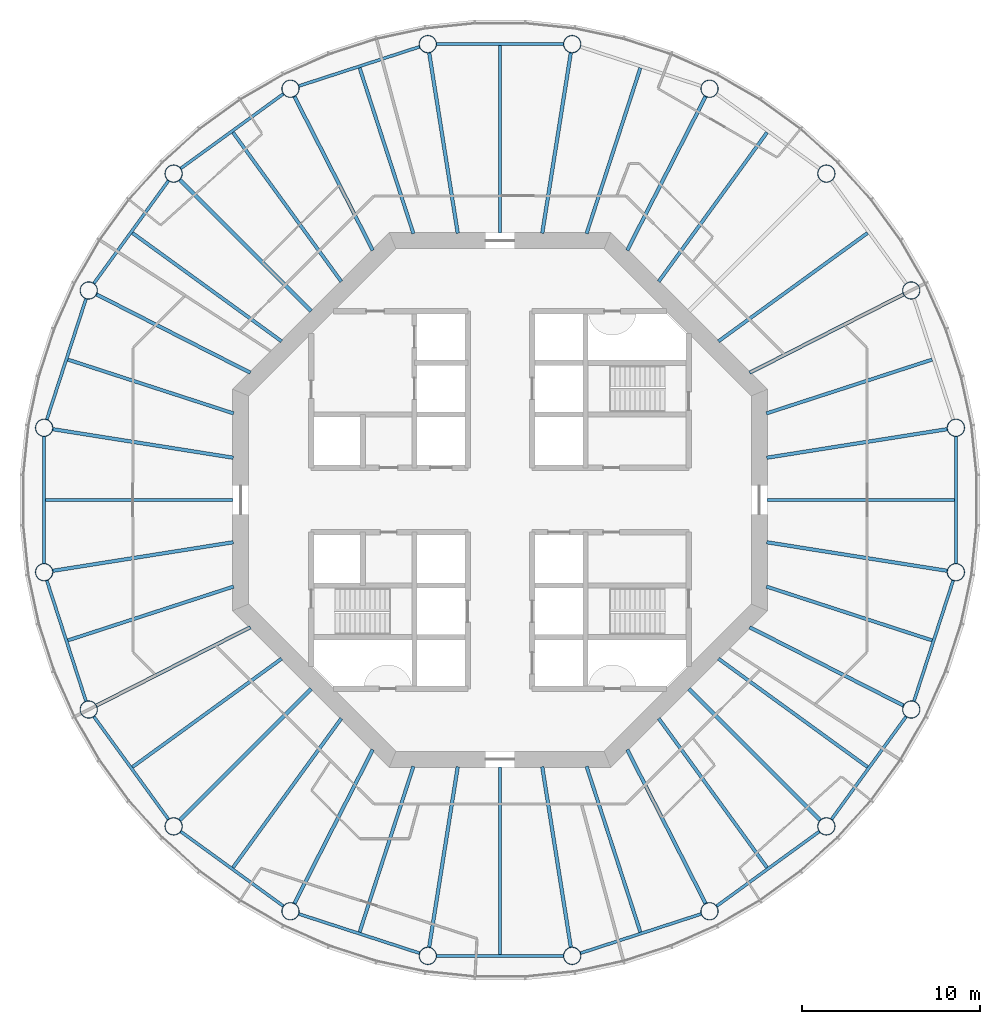
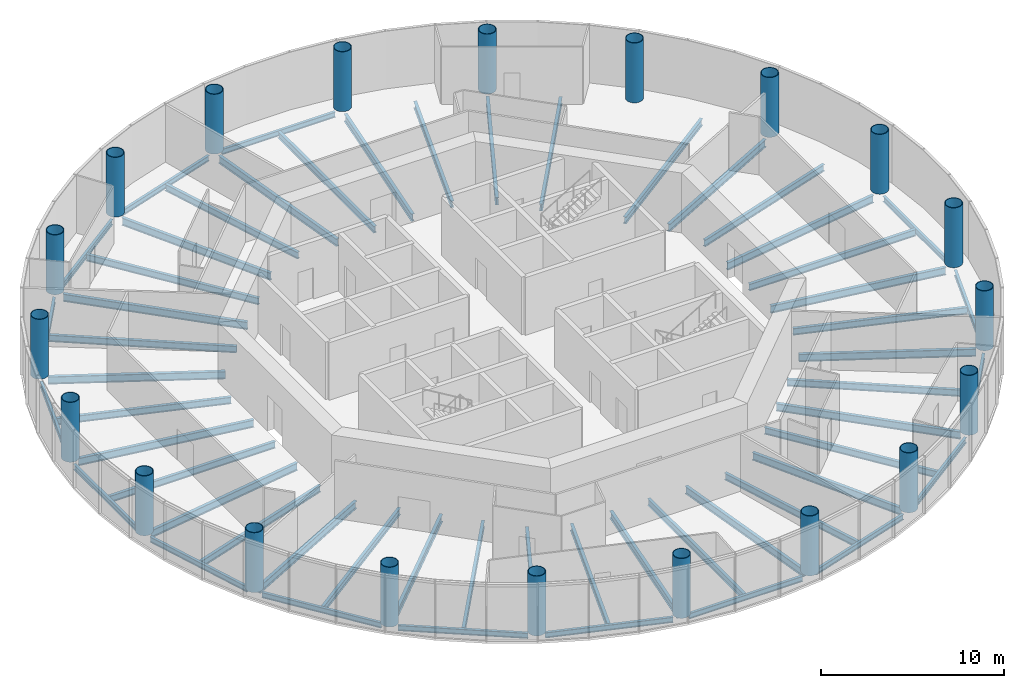
# One storey, part 1 of 12: 55 beams, 20 columns.
"""IFC4 building model written with IfcOpenShell, lengths in metres."""

from ifc_helpers import new_model, si_unit, direction, frame, origin, origin_2d, place, context, subcontext, project, spatial, circle, hollow_circle, i_section, extrude, material, material_profile, profile_set, type_object, element, save


model = new_model("IFC4")

# Units and contexts
model_context = context("Model", 3, precision=1e-05, world=origin(), true_north=direction((0.0, 1.0)))
body_context = subcontext(model_context, "Body", "Model", "MODEL_VIEW")
ifc_project = project(units=[si_unit("LENGTHUNIT", "METRE"), si_unit("AREAUNIT", "SQUARE_METRE"), si_unit("VOLUMEUNIT", "CUBIC_METRE"), si_unit("PLANEANGLEUNIT", "RADIAN"), si_unit("MASSUNIT", "GRAM", prefix="KILO")], contexts=[model_context])

# Site, building, storey
site_placement = place(None, origin())
site = spatial("IfcSite", under=ifc_project, at=site_placement, CompositionType="ELEMENT")
building_placement = place(site_placement, origin())
building = spatial("IfcBuilding", under=site, at=building_placement, Name="Entoto Ring Tower", CompositionType="ELEMENT")
storey_placement = place(building_placement, frame((0.0, 0.0, 222.0)))
storey = spatial("IfcBuildingStorey", under=building, at=storey_placement, Name="L51", CompositionType="ELEMENT", Elevation=222.0)

# Columns
ifc_material_1 = material(Name="Steel S355", Category="steel")
ifc_material_profile_1 = material_profile(ifc_material_1, hollow_circle(Radius=0.5, WallThickness=0.0400390625, at=origin_2d()), Name="CHS 1000 x 40")
ifc_material_2 = material(Name="Concrete C60/75", Category="concrete")
ifc_material_profile_2 = material_profile(ifc_material_2, circle(Radius=0.4599609375, at=origin_2d()), Name="Concrete C60/75 infill")
ifc_profile_set_1 = profile_set([ifc_material_profile_1, ifc_material_profile_2], Name="Steel S355")
column_type = type_object("IfcColumnType", Name="Ring column 1000 x 40 concrete-filled tube", PredefinedType="COLUMN", material=ifc_profile_set_1)
for number, where, z_axis, x_axis, name in (
    (1, (115.5810546875, 84.0517578125, 0.0), (0.0, 0.0, 1.0), (1.0, 0.0, 0.0), "RC4 R01"),
    (2, (113.0771484375, 91.75830078125, 0.0), (0.0, 0.0, 1.0), (1.0, 0.0, 0.0), "RC4 R02"),
    (3, (108.31396484375, 98.31396484375, 0.0), (0.0, 0.0, 1.0), (1.0, 0.0, 0.0), "RC4 R03"),
    (4, (101.75830078125, 103.0771484375, 0.0), (0.0, 0.0, 1.0), (1.0, 0.0, 0.0), "RC4 R04"),
    (5, (94.0517578125, 105.5810546875, 0.0), (0.0, 0.0, 1.0), (1.0, 0.0, 0.0), "RC4 R05"),
    (6, (85.9482421875, 105.5810546875, 0.0), (0.0, 0.0, 1.0), (1.0, 0.0, 0.0), "RC4 R06"),
    (7, (78.24169921875, 103.0771484375, 0.0), (0.0, 0.0, 1.0), (1.0, 0.0, 0.0), "RC4 R07"),
    (8, (71.68603515625, 98.31396484375, 0.0), (0.0, 0.0, 1.0), (1.0, 0.0, 0.0), "RC4 R08"),
    (9, (66.9228515625, 91.75830078125, 0.0), (0.0, 0.0, 1.0), (1.0, 0.0, 0.0), "RC4 R09"),
    (10, (64.4189453125, 84.0517578125, 0.0), (0.0, 0.0, 1.0), (1.0, 0.0, 0.0), "RC4 R10"),
    (11, (64.4189453125, 75.9482421875, 0.0), (0.0, 0.0, 1.0), (1.0, 0.0, 0.0), "RC4 R11"),
    (12, (66.9228515625, 68.24169921875, 0.0), (0.0, 0.0, 1.0), (1.0, 0.0, 0.0), "RC4 R12"),
    (13, (71.68603515625, 61.68603515625, 0.0), (0.0, 0.0, 1.0), (1.0, 0.0, 0.0), "RC4 R13"),
    (14, (78.24169921875, 56.9228515625, 0.0), (0.0, 0.0, 1.0), (1.0, 0.0, 0.0), "RC4 R14"),
    (15, (85.9482421875, 54.4189453125, 0.0), (0.0, 0.0, 1.0), (1.0, 0.0, 0.0), "RC4 R15"),
    (16, (94.0517578125, 54.4189453125, 0.0), (0.0, 0.0, 1.0), (1.0, 0.0, 0.0), "RC4 R16"),
    (17, (101.75830078125, 56.9228515625, 0.0), (0.0, 0.0, 1.0), (1.0, 0.0, 0.0), "RC4 R17"),
    (18, (108.31396484375, 61.68603515625, 0.0), (0.0, 0.0, 1.0), (1.0, 0.0, 0.0), "RC4 R18"),
    (19, (113.0771484375, 68.24169921875, 0.0), (0.0, 0.0, 1.0), (1.0, 0.0, 0.0), "RC4 R19"),
    (20, (115.5810546875, 75.9482421875, 0.0), (0.0, 0.0, 1.0), (1.0, 0.0, 0.0), "RC4 R20"),
):
    element("IfcColumn", number, at=place(storey_placement, frame(where, z_axis=z_axis, x_axis=x_axis)), inside=storey, type_object=column_type, Name=name, PredefinedType="COLUMN", context=body_context, shape_type="SweptSolid", body=[
        extrude(hollow_circle(Radius=0.5, WallThickness=0.0400390625, at=origin_2d()), origin(), (0.0, 0.0, 1.0), 4.0),
    ])

# Beams
ifc_material_3 = material(Name="Steel S355", Category="steel")
ifc_material_profile_3 = material_profile(ifc_material_3, i_section(OverallWidth=0.169921875, OverallDepth=0.360107421875, WebThickness=0.008056640625, FlangeThickness=0.0126953125, FilletRadius=0.01806640625, at=origin_2d()), Name="IPE 360")
ifc_profile_set_2 = profile_set([ifc_material_profile_3], Name="Steel S355")
beam_type_1 = type_object("IfcBeamType", Name="Edge beam IPE 360", PredefinedType="SPANDREL", material=ifc_profile_set_2)
beam_1_placement = place(storey_placement, frame((93.5791015625, 105.5810546875, -0.330078125), z_axis=(-1.0, 0.0, 0.0), x_axis=(0.0, -1.0, 0.0)))
element("IfcBeam", 21, at=beam_1_placement, inside=storey, type_object=beam_type_1, Name="Edge beam L51 05", PredefinedType="SPANDREL", context=body_context, shape_type="SweptSolid", body=[
    extrude(i_section(OverallWidth=0.169921875, OverallDepth=0.360107421875, WebThickness=0.008056640625, FlangeThickness=0.0126953125, FilletRadius=0.01806640625, at=origin_2d()), origin(), (0.0, 0.0, 1.0), 7.158203125),
])
beam_2_placement = place(storey_placement, frame((85.498779296875, 105.43505859375, -0.330078125), z_axis=(-0.951057125849, -0.309015118354, 0.0), x_axis=(0.309015118354, -0.951057125849, 0.0)))
element("IfcBeam", 22, at=beam_2_placement, inside=storey, type_object=beam_type_1, Name="Edge beam L51 06", PredefinedType="SPANDREL", context=body_context, shape_type="SweptSolid", body=[
    extrude(i_section(OverallWidth=0.169921875, OverallDepth=0.360107421875, WebThickness=0.008056640625, FlangeThickness=0.0126953125, FilletRadius=0.01806640625, at=origin_2d()), origin(), (0.0, 0.0, 1.0), 7.157958984375),
])
for number, where, z_axis, x_axis, name in (
    (23, (77.859375, 102.79931640625, -0.330078125), (-0.809010324619, -0.587794432314, 0.0), (0.587794432314, -0.809010324619, 0.0), "Edge beam L51 07"),
    (24, (71.408203125, 97.931640625, -0.330078125), (-0.587794432314, -0.809010324619, 0.0), (0.809010324619, -0.587794432314, 0.0), "Edge beam L51 08"),
):
    element("IfcBeam", number, at=place(storey_placement, frame(where, z_axis=z_axis, x_axis=x_axis)), inside=storey, type_object=beam_type_1, Name=name, PredefinedType="SPANDREL", context=body_context, shape_type="SweptSolid", body=[
        extrude(i_section(OverallWidth=0.169921875, OverallDepth=0.360107421875, WebThickness=0.008056640625, FlangeThickness=0.0126953125, FilletRadius=0.01806640625, at=origin_2d()), origin(), (0.0, 0.0, 1.0), 7.158203125),
    ])
beam_3_placement = place(storey_placement, frame((66.77685546875, 91.308837890625, -0.330078125), z_axis=(-0.309015118354, -0.951057125849, 0.0), x_axis=(0.951057125849, -0.309015118354, 0.0)))
element("IfcBeam", 25, at=beam_3_placement, inside=storey, type_object=beam_type_1, Name="Edge beam L51 09", PredefinedType="SPANDREL", context=body_context, shape_type="SweptSolid", body=[
    extrude(i_section(OverallWidth=0.169921875, OverallDepth=0.360107421875, WebThickness=0.008056640625, FlangeThickness=0.0126953125, FilletRadius=0.01806640625, at=origin_2d()), origin(), (0.0, 0.0, 1.0), 7.157958984375),
])
beam_4_placement = place(storey_placement, frame((64.4189453125, 83.5791015625, -0.330078125), z_axis=(0.0, -1.0, 0.0), x_axis=(1.0, 0.0, 0.0)))
element("IfcBeam", 26, at=beam_4_placement, inside=storey, type_object=beam_type_1, Name="Edge beam L51 10", PredefinedType="SPANDREL", context=body_context, shape_type="SweptSolid", body=[
    extrude(i_section(OverallWidth=0.169921875, OverallDepth=0.360107421875, WebThickness=0.008056640625, FlangeThickness=0.0126953125, FilletRadius=0.01806640625, at=origin_2d()), origin(), (0.0, 0.0, 1.0), 7.158203125),
])
beam_5_placement = place(storey_placement, frame((64.56494140625, 75.498779296875, -0.330078125), z_axis=(0.309015118354, -0.951057125849, 0.0), x_axis=(0.951057125849, 0.309015118354, 0.0)))
element("IfcBeam", 27, at=beam_5_placement, inside=storey, type_object=beam_type_1, Name="Edge beam L51 11", PredefinedType="SPANDREL", context=body_context, shape_type="SweptSolid", body=[
    extrude(i_section(OverallWidth=0.169921875, OverallDepth=0.360107421875, WebThickness=0.008056640625, FlangeThickness=0.0126953125, FilletRadius=0.01806640625, at=origin_2d()), origin(), (0.0, 0.0, 1.0), 7.157958984375),
])
for number, where, z_axis, x_axis, name in (
    (28, (67.20068359375, 67.859375, -0.330078125), (0.587794432314, -0.809010324619, 0.0), (0.809010324619, 0.587794432314, 0.0), "Edge beam L51 12"),
    (29, (72.068359375, 61.408203125, -0.330078125), (0.809010324619, -0.587794432314, 0.0), (0.587794432314, 0.809010324619, 0.0), "Edge beam L51 13"),
):
    element("IfcBeam", number, at=place(storey_placement, frame(where, z_axis=z_axis, x_axis=x_axis)), inside=storey, type_object=beam_type_1, Name=name, PredefinedType="SPANDREL", context=body_context, shape_type="SweptSolid", body=[
        extrude(i_section(OverallWidth=0.169921875, OverallDepth=0.360107421875, WebThickness=0.008056640625, FlangeThickness=0.0126953125, FilletRadius=0.01806640625, at=origin_2d()), origin(), (0.0, 0.0, 1.0), 7.158203125),
    ])
beam_6_placement = place(storey_placement, frame((78.691162109375, 56.77685546875, -0.330078125), z_axis=(0.951057125849, -0.309015118354, 0.0), x_axis=(0.309015118354, 0.951057125849, 0.0)))
element("IfcBeam", 30, at=beam_6_placement, inside=storey, type_object=beam_type_1, Name="Edge beam L51 14", PredefinedType="SPANDREL", context=body_context, shape_type="SweptSolid", body=[
    extrude(i_section(OverallWidth=0.169921875, OverallDepth=0.360107421875, WebThickness=0.008056640625, FlangeThickness=0.0126953125, FilletRadius=0.01806640625, at=origin_2d()), origin(), (0.0, 0.0, 1.0), 7.157958984375),
])
beam_7_placement = place(storey_placement, frame((86.4208984375, 54.4189453125, -0.330078125), z_axis=(1.0, 0.0, 0.0), x_axis=(0.0, 1.0, 0.0)))
element("IfcBeam", 31, at=beam_7_placement, inside=storey, type_object=beam_type_1, Name="Edge beam L51 15", PredefinedType="SPANDREL", context=body_context, shape_type="SweptSolid", body=[
    extrude(i_section(OverallWidth=0.169921875, OverallDepth=0.360107421875, WebThickness=0.008056640625, FlangeThickness=0.0126953125, FilletRadius=0.01806640625, at=origin_2d()), origin(), (0.0, 0.0, 1.0), 7.158203125),
])
beam_8_placement = place(storey_placement, frame((94.501220703125, 54.56494140625, -0.330078125), z_axis=(0.951057125849, 0.309015118354, 0.0), x_axis=(-0.309015118354, 0.951057125849, 0.0)))
element("IfcBeam", 32, at=beam_8_placement, inside=storey, type_object=beam_type_1, Name="Edge beam L51 16", PredefinedType="SPANDREL", context=body_context, shape_type="SweptSolid", body=[
    extrude(i_section(OverallWidth=0.169921875, OverallDepth=0.360107421875, WebThickness=0.008056640625, FlangeThickness=0.0126953125, FilletRadius=0.01806640625, at=origin_2d()), origin(), (0.0, 0.0, 1.0), 7.157958984375),
])
for number, where, z_axis, x_axis, name in (
    (33, (102.140625, 57.20068359375, -0.330078125), (0.809010324619, 0.587794432314, 0.0), (-0.587794432314, 0.809010324619, 0.0), "Edge beam L51 17"),
    (34, (108.591796875, 62.068359375, -0.330078125), (0.587794432314, 0.809010324619, 0.0), (-0.809010324619, 0.587794432314, 0.0), "Edge beam L51 18"),
):
    element("IfcBeam", number, at=place(storey_placement, frame(where, z_axis=z_axis, x_axis=x_axis)), inside=storey, type_object=beam_type_1, Name=name, PredefinedType="SPANDREL", context=body_context, shape_type="SweptSolid", body=[
        extrude(i_section(OverallWidth=0.169921875, OverallDepth=0.360107421875, WebThickness=0.008056640625, FlangeThickness=0.0126953125, FilletRadius=0.01806640625, at=origin_2d()), origin(), (0.0, 0.0, 1.0), 7.158203125),
    ])
beam_9_placement = place(storey_placement, frame((113.22314453125, 68.691162109375, -0.330078125), z_axis=(0.309015118354, 0.951057125849, 0.0), x_axis=(-0.951057125849, 0.309015118354, 0.0)))
element("IfcBeam", 35, at=beam_9_placement, inside=storey, type_object=beam_type_1, Name="Edge beam L51 19", PredefinedType="SPANDREL", context=body_context, shape_type="SweptSolid", body=[
    extrude(i_section(OverallWidth=0.169921875, OverallDepth=0.360107421875, WebThickness=0.008056640625, FlangeThickness=0.0126953125, FilletRadius=0.01806640625, at=origin_2d()), origin(), (0.0, 0.0, 1.0), 7.157958984375),
])
beam_10_placement = place(storey_placement, frame((115.5810546875, 76.4208984375, -0.330078125), z_axis=(0.0, 1.0, 0.0), x_axis=(-1.0, 0.0, 0.0)))
element("IfcBeam", 36, at=beam_10_placement, inside=storey, type_object=beam_type_1, Name="Edge beam L51 20", PredefinedType="SPANDREL", context=body_context, shape_type="SweptSolid", body=[
    extrude(i_section(OverallWidth=0.169921875, OverallDepth=0.360107421875, WebThickness=0.008056640625, FlangeThickness=0.0126953125, FilletRadius=0.01806640625, at=origin_2d()), origin(), (0.0, 0.0, 1.0), 7.158203125),
])
ifc_material_4 = material(Name="Steel S355", Category="steel")
ifc_material_profile_4 = material_profile(ifc_material_4, i_section(OverallWidth=0.199951171875, OverallDepth=0.5, WebThickness=0.01025390625, FlangeThickness=0.01611328125, FilletRadius=0.02099609375, at=origin_2d()), Name="IPE 500")
ifc_profile_set_3 = profile_set([ifc_material_profile_4], Name="Steel S355")
beam_type_2 = type_object("IfcBeamType", Name="Primary floor beam IPE 500", PredefinedType="BEAM", material=ifc_profile_set_3)
beam_11_placement = place(storey_placement, frame((104.964599609375, 82.3701171875, -0.39990234375), z_axis=(0.987685619518, 0.156451644281, 0.0), x_axis=(-0.156451644281, 0.987685619518, 0.0)))
element("IfcBeam", 37, at=beam_11_placement, inside=storey, type_object=beam_type_2, Name="Primary L51 R01", PredefinedType="BEAM", context=body_context, shape_type="SweptSolid", body=[
    extrude(i_section(OverallWidth=0.199951171875, OverallDepth=0.5, WebThickness=0.01025390625, FlangeThickness=0.01611328125, FilletRadius=0.02099609375, at=origin_2d()), origin(), (0.0, 0.0, 1.0), 10.27880859375),
])
for number, where, z_axis, x_axis, name in (
    (38, (104.006103515625, 87.136474609375, -0.39990234375), (0.891012442297, 0.45397888461, 0.0), (-0.45397888461, 0.891012442297, 0.0), "Primary L51 R02"),
    (39, (97.136474609375, 94.006103515625, -0.39990234375), (0.45397888461, 0.891012442297, 0.0), (-0.891012442297, 0.45397888461, 0.0), "Primary L51 R04"),
):
    element("IfcBeam", number, at=place(storey_placement, frame(where, z_axis=z_axis, x_axis=x_axis)), inside=storey, type_object=beam_type_2, Name=name, PredefinedType="BEAM", context=body_context, shape_type="SweptSolid", body=[
        extrude(i_section(OverallWidth=0.199951171875, OverallDepth=0.5, WebThickness=0.01025390625, FlangeThickness=0.01611328125, FilletRadius=0.02099609375, at=origin_2d()), origin(), (0.0, 0.0, 1.0), 9.710693359375),
    ])
for number, where, z_axis, x_axis, name in (
    (40, (92.3701171875, 94.964599609375, -0.39990234375), (0.156451644281, 0.987685619518, 0.0), (-0.987685619518, 0.156451644281, 0.0), "Primary L51 R05"),
    (41, (87.6298828125, 94.964599609375, -0.39990234375), (-0.156451644281, 0.987685619518, 0.0), (-0.987685619518, -0.156451644281, 0.0), "Primary L51 R06"),
):
    element("IfcBeam", number, at=place(storey_placement, frame(where, z_axis=z_axis, x_axis=x_axis)), inside=storey, type_object=beam_type_2, Name=name, PredefinedType="BEAM", context=body_context, shape_type="SweptSolid", body=[
        extrude(i_section(OverallWidth=0.199951171875, OverallDepth=0.5, WebThickness=0.01025390625, FlangeThickness=0.01611328125, FilletRadius=0.02099609375, at=origin_2d()), origin(), (0.0, 0.0, 1.0), 10.27880859375),
    ])
beam_12_placement = place(storey_placement, frame((82.863525390625, 94.006103515625, -0.39990234375), z_axis=(-0.45397888461, 0.891012442297, 0.0), x_axis=(-0.891012442297, -0.45397888461, 0.0)))
element("IfcBeam", 42, at=beam_12_placement, inside=storey, type_object=beam_type_2, Name="Primary L51 R07", PredefinedType="BEAM", context=body_context, shape_type="SweptSolid", body=[
    extrude(i_section(OverallWidth=0.199951171875, OverallDepth=0.5, WebThickness=0.01025390625, FlangeThickness=0.01611328125, FilletRadius=0.02099609375, at=origin_2d()), origin(), (0.0, 0.0, 1.0), 9.710693359375),
])
beam_13_placement = place(storey_placement, frame((79.407470703125, 90.592529296875, -0.39990234375), z_axis=(-0.707106781187, 0.707106781187, 0.0), x_axis=(-0.707106781187, -0.707106781187, 0.0)))
element("IfcBeam", 43, at=beam_13_placement, inside=storey, type_object=beam_type_2, Name="Primary L51 R08", PredefinedType="BEAM", context=body_context, shape_type="SweptSolid", body=[
    extrude(i_section(OverallWidth=0.199951171875, OverallDepth=0.5, WebThickness=0.01025390625, FlangeThickness=0.01611328125, FilletRadius=0.02099609375, at=origin_2d()), origin(), (0.0, 0.0, 1.0), 10.4501953125),
])
beam_14_placement = place(storey_placement, frame((75.993896484375, 87.136474609375, -0.39990234375), z_axis=(-0.891012442297, 0.45397888461, 0.0), x_axis=(-0.45397888461, -0.891012442297, 0.0)))
element("IfcBeam", 44, at=beam_14_placement, inside=storey, type_object=beam_type_2, Name="Primary L51 R09", PredefinedType="BEAM", context=body_context, shape_type="SweptSolid", body=[
    extrude(i_section(OverallWidth=0.199951171875, OverallDepth=0.5, WebThickness=0.01025390625, FlangeThickness=0.01611328125, FilletRadius=0.02099609375, at=origin_2d()), origin(), (0.0, 0.0, 1.0), 9.710693359375),
])
for number, where, z_axis, x_axis, name in (
    (45, (75.035400390625, 82.3701171875, -0.39990234375), (-0.987685619518, 0.156451644281, 0.0), (-0.156451644281, -0.987685619518, 0.0), "Primary L51 R10"),
    (46, (75.035400390625, 77.6298828125, -0.39990234375), (-0.987685619518, -0.156451644281, 0.0), (0.156451644281, -0.987685619518, 0.0), "Primary L51 R11"),
):
    element("IfcBeam", number, at=place(storey_placement, frame(where, z_axis=z_axis, x_axis=x_axis)), inside=storey, type_object=beam_type_2, Name=name, PredefinedType="BEAM", context=body_context, shape_type="SweptSolid", body=[
        extrude(i_section(OverallWidth=0.199951171875, OverallDepth=0.5, WebThickness=0.01025390625, FlangeThickness=0.01611328125, FilletRadius=0.02099609375, at=origin_2d()), origin(), (0.0, 0.0, 1.0), 10.27880859375),
    ])
beam_15_placement = place(storey_placement, frame((75.993896484375, 72.863525390625, -0.39990234375), z_axis=(-0.891012442297, -0.45397888461, 0.0), x_axis=(0.45397888461, -0.891012442297, 0.0)))
element("IfcBeam", 47, at=beam_15_placement, inside=storey, type_object=beam_type_2, Name="Primary L51 R12", PredefinedType="BEAM", context=body_context, shape_type="SweptSolid", body=[
    extrude(i_section(OverallWidth=0.199951171875, OverallDepth=0.5, WebThickness=0.01025390625, FlangeThickness=0.01611328125, FilletRadius=0.02099609375, at=origin_2d()), origin(), (0.0, 0.0, 1.0), 9.710693359375),
])
beam_16_placement = place(storey_placement, frame((79.407470703125, 69.407470703125, -0.39990234375), z_axis=(-0.707106781187, -0.707106781187, 0.0), x_axis=(0.707106781187, -0.707106781187, 0.0)))
element("IfcBeam", 48, at=beam_16_placement, inside=storey, type_object=beam_type_2, Name="Primary L51 R13", PredefinedType="BEAM", context=body_context, shape_type="SweptSolid", body=[
    extrude(i_section(OverallWidth=0.199951171875, OverallDepth=0.5, WebThickness=0.01025390625, FlangeThickness=0.01611328125, FilletRadius=0.02099609375, at=origin_2d()), origin(), (0.0, 0.0, 1.0), 10.4501953125),
])
beam_17_placement = place(storey_placement, frame((82.863525390625, 65.993896484375, -0.39990234375), z_axis=(-0.45397888461, -0.891012442297, 0.0), x_axis=(0.891012442297, -0.45397888461, 0.0)))
element("IfcBeam", 49, at=beam_17_placement, inside=storey, type_object=beam_type_2, Name="Primary L51 R14", PredefinedType="BEAM", context=body_context, shape_type="SweptSolid", body=[
    extrude(i_section(OverallWidth=0.199951171875, OverallDepth=0.5, WebThickness=0.01025390625, FlangeThickness=0.01611328125, FilletRadius=0.02099609375, at=origin_2d()), origin(), (0.0, 0.0, 1.0), 9.710693359375),
])
for number, where, z_axis, x_axis, name in (
    (50, (87.6298828125, 65.035400390625, -0.39990234375), (-0.156451644281, -0.987685619518, 0.0), (0.987685619518, -0.156451644281, 0.0), "Primary L51 R15"),
    (51, (92.3701171875, 65.035400390625, -0.39990234375), (0.156451644281, -0.987685619518, 0.0), (0.987685619518, 0.156451644281, 0.0), "Primary L51 R16"),
):
    element("IfcBeam", number, at=place(storey_placement, frame(where, z_axis=z_axis, x_axis=x_axis)), inside=storey, type_object=beam_type_2, Name=name, PredefinedType="BEAM", context=body_context, shape_type="SweptSolid", body=[
        extrude(i_section(OverallWidth=0.199951171875, OverallDepth=0.5, WebThickness=0.01025390625, FlangeThickness=0.01611328125, FilletRadius=0.02099609375, at=origin_2d()), origin(), (0.0, 0.0, 1.0), 10.27880859375),
    ])
beam_18_placement = place(storey_placement, frame((97.136474609375, 65.993896484375, -0.39990234375), z_axis=(0.45397888461, -0.891012442297, 0.0), x_axis=(0.891012442297, 0.45397888461, 0.0)))
element("IfcBeam", 52, at=beam_18_placement, inside=storey, type_object=beam_type_2, Name="Primary L51 R17", PredefinedType="BEAM", context=body_context, shape_type="SweptSolid", body=[
    extrude(i_section(OverallWidth=0.199951171875, OverallDepth=0.5, WebThickness=0.01025390625, FlangeThickness=0.01611328125, FilletRadius=0.02099609375, at=origin_2d()), origin(), (0.0, 0.0, 1.0), 9.710693359375),
])
beam_19_placement = place(storey_placement, frame((100.592529296875, 69.407470703125, -0.39990234375), z_axis=(0.707106781187, -0.707106781187, 0.0), x_axis=(0.707106781187, 0.707106781187, 0.0)))
element("IfcBeam", 53, at=beam_19_placement, inside=storey, type_object=beam_type_2, Name="Primary L51 R18", PredefinedType="BEAM", context=body_context, shape_type="SweptSolid", body=[
    extrude(i_section(OverallWidth=0.199951171875, OverallDepth=0.5, WebThickness=0.01025390625, FlangeThickness=0.01611328125, FilletRadius=0.02099609375, at=origin_2d()), origin(), (0.0, 0.0, 1.0), 10.4501953125),
])
beam_20_placement = place(storey_placement, frame((104.006103515625, 72.863525390625, -0.39990234375), z_axis=(0.891012442297, -0.45397888461, 0.0), x_axis=(0.45397888461, 0.891012442297, 0.0)))
element("IfcBeam", 54, at=beam_20_placement, inside=storey, type_object=beam_type_2, Name="Primary L51 R19", PredefinedType="BEAM", context=body_context, shape_type="SweptSolid", body=[
    extrude(i_section(OverallWidth=0.199951171875, OverallDepth=0.5, WebThickness=0.01025390625, FlangeThickness=0.01611328125, FilletRadius=0.02099609375, at=origin_2d()), origin(), (0.0, 0.0, 1.0), 9.710693359375),
])
beam_21_placement = place(storey_placement, frame((104.964599609375, 77.6298828125, -0.39990234375), z_axis=(0.987685619518, -0.156451644281, 0.0), x_axis=(0.156451644281, 0.987685619518, 0.0)))
element("IfcBeam", 55, at=beam_21_placement, inside=storey, type_object=beam_type_2, Name="Primary L51 R20", PredefinedType="BEAM", context=body_context, shape_type="SweptSolid", body=[
    extrude(i_section(OverallWidth=0.199951171875, OverallDepth=0.5, WebThickness=0.01025390625, FlangeThickness=0.01611328125, FilletRadius=0.02099609375, at=origin_2d()), origin(), (0.0, 0.0, 1.0), 10.27880859375),
])
ifc_material_5 = material(Name="Steel S355", Category="steel")
ifc_material_profile_5 = material_profile(ifc_material_5, i_section(OverallWidth=0.18994140625, OverallDepth=0.449951171875, WebThickness=0.009521484375, FlangeThickness=0.0146484375, FilletRadius=0.02099609375, at=origin_2d()), Name="IPE 450")
ifc_profile_set_4 = profile_set([ifc_material_profile_5], Name="Steel S355")
beam_type_3 = type_object("IfcBeamType", Name="Secondary floor beam IPE 450", PredefinedType="JOIST", material=ifc_profile_set_4)
beam_22_placement = place(storey_placement, frame((104.95166015625, 84.858154296875, -0.375), z_axis=(0.951061045963, 0.309003053144, 0.0), x_axis=(-0.309003053144, 0.951061045963, 0.0)))
element("IfcBeam", 56, at=beam_22_placement, inside=storey, type_object=beam_type_3, Name="Secondary beam L51 01", PredefinedType="JOIST", context=body_context, shape_type="SweptSolid", body=[
    extrude(i_section(OverallWidth=0.18994140625, OverallDepth=0.449951171875, WebThickness=0.009521484375, FlangeThickness=0.0146484375, FilletRadius=0.02099609375, at=origin_2d()), origin(), (0.0, 0.0, 1.0), 9.77490234375),
])
for number, where, z_axis, x_axis, name in (
    (57, (102.258056640625, 88.906005859375, -0.375), (0.809010538485, 0.58779413796, 0.0), (-0.58779413796, 0.809010538485, 0.0), "Secondary beam L51 02"),
    (58, (98.906005859375, 92.258056640625, -0.375), (0.58779413796, 0.809010538485, 0.0), (-0.809010538485, 0.58779413796, 0.0), "Secondary beam L51 03"),
):
    element("IfcBeam", number, at=place(storey_placement, frame(where, z_axis=z_axis, x_axis=x_axis)), inside=storey, type_object=beam_type_3, Name=name, PredefinedType="JOIST", context=body_context, shape_type="SweptSolid", body=[
        extrude(i_section(OverallWidth=0.18994140625, OverallDepth=0.449951171875, WebThickness=0.009521484375, FlangeThickness=0.0146484375, FilletRadius=0.02099609375, at=origin_2d()), origin(), (0.0, 0.0, 1.0), 10.34423828125),
    ])
beam_23_placement = place(storey_placement, frame((94.858154296875, 94.95166015625, -0.375), z_axis=(0.309003053144, 0.951061045963, 0.0), x_axis=(-0.951061045963, 0.309003053144, 0.0)))
element("IfcBeam", 59, at=beam_23_placement, inside=storey, type_object=beam_type_3, Name="Secondary beam L51 04", PredefinedType="JOIST", context=body_context, shape_type="SweptSolid", body=[
    extrude(i_section(OverallWidth=0.18994140625, OverallDepth=0.449951171875, WebThickness=0.009521484375, FlangeThickness=0.0146484375, FilletRadius=0.02099609375, at=origin_2d()), origin(), (0.0, 0.0, 1.0), 9.77490234375),
])
beam_24_placement = place(storey_placement, frame((90.0, 94.97998046875, -0.375), z_axis=(0.0, 1.0, 0.0), x_axis=(-1.0, 0.0, 0.0)))
element("IfcBeam", 60, at=beam_24_placement, inside=storey, type_object=beam_type_3, Name="Secondary beam L51 05", PredefinedType="JOIST", context=body_context, shape_type="SweptSolid", body=[
    extrude(i_section(OverallWidth=0.18994140625, OverallDepth=0.449951171875, WebThickness=0.009521484375, FlangeThickness=0.0146484375, FilletRadius=0.02099609375, at=origin_2d()), origin(), (0.0, 0.0, 1.0), 10.51611328125),
])
beam_25_placement = place(storey_placement, frame((85.141845703125, 94.95166015625, -0.375), z_axis=(-0.309003053144, 0.951061045963, 0.0), x_axis=(-0.951061045963, -0.309003053144, 0.0)))
element("IfcBeam", 61, at=beam_25_placement, inside=storey, type_object=beam_type_3, Name="Secondary beam L51 06", PredefinedType="JOIST", context=body_context, shape_type="SweptSolid", body=[
    extrude(i_section(OverallWidth=0.18994140625, OverallDepth=0.449951171875, WebThickness=0.009521484375, FlangeThickness=0.0146484375, FilletRadius=0.02099609375, at=origin_2d()), origin(), (0.0, 0.0, 1.0), 9.77490234375),
])
for number, where, z_axis, x_axis, name in (
    (62, (81.093994140625, 92.258056640625, -0.375), (-0.58779413796, 0.809010538485, 0.0), (-0.809010538485, -0.58779413796, 0.0), "Secondary beam L51 07"),
    (63, (77.741943359375, 88.906005859375, -0.375), (-0.809010538485, 0.58779413796, 0.0), (-0.58779413796, -0.809010538485, 0.0), "Secondary beam L51 08"),
):
    element("IfcBeam", number, at=place(storey_placement, frame(where, z_axis=z_axis, x_axis=x_axis)), inside=storey, type_object=beam_type_3, Name=name, PredefinedType="JOIST", context=body_context, shape_type="SweptSolid", body=[
        extrude(i_section(OverallWidth=0.18994140625, OverallDepth=0.449951171875, WebThickness=0.009521484375, FlangeThickness=0.0146484375, FilletRadius=0.02099609375, at=origin_2d()), origin(), (0.0, 0.0, 1.0), 10.34423828125),
    ])
beam_26_placement = place(storey_placement, frame((75.04833984375, 84.858154296875, -0.375), z_axis=(-0.951061045963, 0.309003053144, 0.0), x_axis=(-0.309003053144, -0.951061045963, 0.0)))
element("IfcBeam", 64, at=beam_26_placement, inside=storey, type_object=beam_type_3, Name="Secondary beam L51 09", PredefinedType="JOIST", context=body_context, shape_type="SweptSolid", body=[
    extrude(i_section(OverallWidth=0.18994140625, OverallDepth=0.449951171875, WebThickness=0.009521484375, FlangeThickness=0.0146484375, FilletRadius=0.02099609375, at=origin_2d()), origin(), (0.0, 0.0, 1.0), 9.77490234375),
])
beam_27_placement = place(storey_placement, frame((75.02001953125, 80.0, -0.375), z_axis=(-1.0, 0.0, 0.0), x_axis=(0.0, -1.0, 0.0)))
element("IfcBeam", 65, at=beam_27_placement, inside=storey, type_object=beam_type_3, Name="Secondary beam L51 10", PredefinedType="JOIST", context=body_context, shape_type="SweptSolid", body=[
    extrude(i_section(OverallWidth=0.18994140625, OverallDepth=0.449951171875, WebThickness=0.009521484375, FlangeThickness=0.0146484375, FilletRadius=0.02099609375, at=origin_2d()), origin(), (0.0, 0.0, 1.0), 10.51611328125),
])
beam_28_placement = place(storey_placement, frame((75.04833984375, 75.141845703125, -0.375), z_axis=(-0.951061045963, -0.309003053144, 0.0), x_axis=(0.309003053144, -0.951061045963, 0.0)))
element("IfcBeam", 66, at=beam_28_placement, inside=storey, type_object=beam_type_3, Name="Secondary beam L51 11", PredefinedType="JOIST", context=body_context, shape_type="SweptSolid", body=[
    extrude(i_section(OverallWidth=0.18994140625, OverallDepth=0.449951171875, WebThickness=0.009521484375, FlangeThickness=0.0146484375, FilletRadius=0.02099609375, at=origin_2d()), origin(), (0.0, 0.0, 1.0), 9.77490234375),
])
for number, where, z_axis, x_axis, name in (
    (67, (77.741943359375, 71.093994140625, -0.375), (-0.809010538485, -0.58779413796, 0.0), (0.58779413796, -0.809010538485, 0.0), "Secondary beam L51 12"),
    (68, (81.093994140625, 67.741943359375, -0.375), (-0.58779413796, -0.809010538485, 0.0), (0.809010538485, -0.58779413796, 0.0), "Secondary beam L51 13"),
):
    element("IfcBeam", number, at=place(storey_placement, frame(where, z_axis=z_axis, x_axis=x_axis)), inside=storey, type_object=beam_type_3, Name=name, PredefinedType="JOIST", context=body_context, shape_type="SweptSolid", body=[
        extrude(i_section(OverallWidth=0.18994140625, OverallDepth=0.449951171875, WebThickness=0.009521484375, FlangeThickness=0.0146484375, FilletRadius=0.02099609375, at=origin_2d()), origin(), (0.0, 0.0, 1.0), 10.34423828125),
    ])
beam_29_placement = place(storey_placement, frame((85.141845703125, 65.04833984375, -0.375), z_axis=(-0.309003053144, -0.951061045963, 0.0), x_axis=(0.951061045963, -0.309003053144, 0.0)))
element("IfcBeam", 69, at=beam_29_placement, inside=storey, type_object=beam_type_3, Name="Secondary beam L51 14", PredefinedType="JOIST", context=body_context, shape_type="SweptSolid", body=[
    extrude(i_section(OverallWidth=0.18994140625, OverallDepth=0.449951171875, WebThickness=0.009521484375, FlangeThickness=0.0146484375, FilletRadius=0.02099609375, at=origin_2d()), origin(), (0.0, 0.0, 1.0), 9.77490234375),
])
beam_30_placement = place(storey_placement, frame((90.0, 65.02001953125, -0.375), z_axis=(0.0, -1.0, 0.0), x_axis=(1.0, 0.0, 0.0)))
element("IfcBeam", 70, at=beam_30_placement, inside=storey, type_object=beam_type_3, Name="Secondary beam L51 15", PredefinedType="JOIST", context=body_context, shape_type="SweptSolid", body=[
    extrude(i_section(OverallWidth=0.18994140625, OverallDepth=0.449951171875, WebThickness=0.009521484375, FlangeThickness=0.0146484375, FilletRadius=0.02099609375, at=origin_2d()), origin(), (0.0, 0.0, 1.0), 10.51611328125),
])
beam_31_placement = place(storey_placement, frame((94.858154296875, 65.04833984375, -0.375), z_axis=(0.309003053144, -0.951061045963, 0.0), x_axis=(0.951061045963, 0.309003053144, 0.0)))
element("IfcBeam", 71, at=beam_31_placement, inside=storey, type_object=beam_type_3, Name="Secondary beam L51 16", PredefinedType="JOIST", context=body_context, shape_type="SweptSolid", body=[
    extrude(i_section(OverallWidth=0.18994140625, OverallDepth=0.449951171875, WebThickness=0.009521484375, FlangeThickness=0.0146484375, FilletRadius=0.02099609375, at=origin_2d()), origin(), (0.0, 0.0, 1.0), 9.77490234375),
])
for number, where, z_axis, x_axis, name in (
    (72, (98.906005859375, 67.741943359375, -0.375), (0.58779413796, -0.809010538485, 0.0), (0.809010538485, 0.58779413796, 0.0), "Secondary beam L51 17"),
    (73, (102.258056640625, 71.093994140625, -0.375), (0.809010538485, -0.58779413796, 0.0), (0.58779413796, 0.809010538485, 0.0), "Secondary beam L51 18"),
):
    element("IfcBeam", number, at=place(storey_placement, frame(where, z_axis=z_axis, x_axis=x_axis)), inside=storey, type_object=beam_type_3, Name=name, PredefinedType="JOIST", context=body_context, shape_type="SweptSolid", body=[
        extrude(i_section(OverallWidth=0.18994140625, OverallDepth=0.449951171875, WebThickness=0.009521484375, FlangeThickness=0.0146484375, FilletRadius=0.02099609375, at=origin_2d()), origin(), (0.0, 0.0, 1.0), 10.34423828125),
    ])
beam_32_placement = place(storey_placement, frame((104.95166015625, 75.141845703125, -0.375), z_axis=(0.951061045963, -0.309003053144, 0.0), x_axis=(0.309003053144, 0.951061045963, 0.0)))
element("IfcBeam", 74, at=beam_32_placement, inside=storey, type_object=beam_type_3, Name="Secondary beam L51 19", PredefinedType="JOIST", context=body_context, shape_type="SweptSolid", body=[
    extrude(i_section(OverallWidth=0.18994140625, OverallDepth=0.449951171875, WebThickness=0.009521484375, FlangeThickness=0.0146484375, FilletRadius=0.02099609375, at=origin_2d()), origin(), (0.0, 0.0, 1.0), 9.77490234375),
])
beam_33_placement = place(storey_placement, frame((104.97998046875, 80.0, -0.375), z_axis=(1.0, 0.0, 0.0), x_axis=(0.0, 1.0, 0.0)))
element("IfcBeam", 75, at=beam_33_placement, inside=storey, type_object=beam_type_3, Name="Secondary beam L51 20", PredefinedType="JOIST", context=body_context, shape_type="SweptSolid", body=[
    extrude(i_section(OverallWidth=0.18994140625, OverallDepth=0.449951171875, WebThickness=0.009521484375, FlangeThickness=0.0146484375, FilletRadius=0.02099609375, at=origin_2d()), origin(), (0.0, 0.0, 1.0), 10.51611328125),
])

save(model, "model.ifc")
